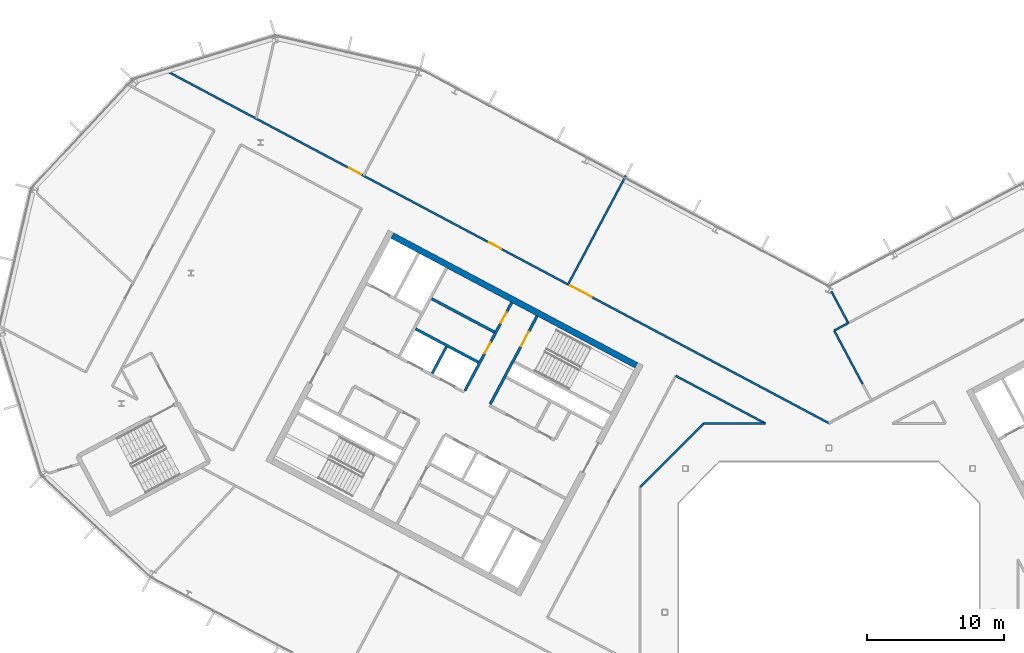
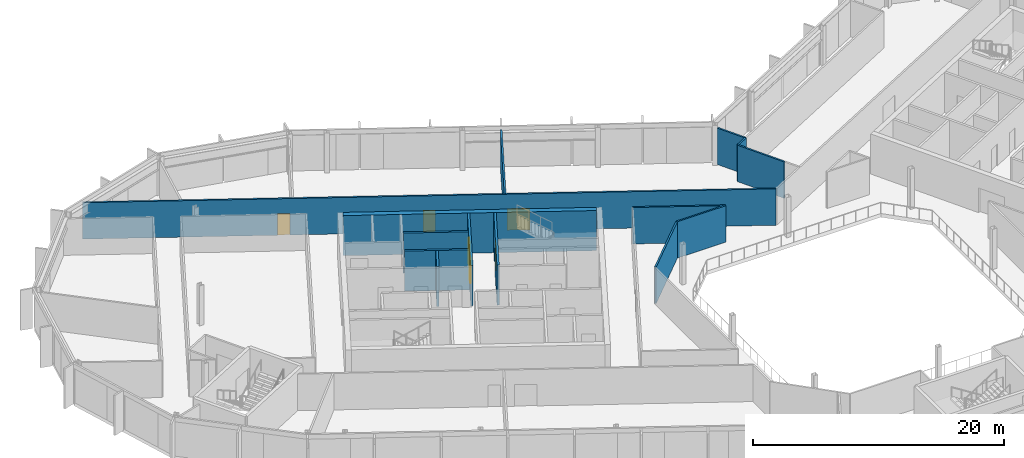
# One storey, part 14 of 25: 14 walls, 6 doors, 6 openings.
"""IFC4 building model written with IfcOpenShell, lengths in metres."""

from ifc_helpers import new_model, si_unit, direction, frame, frame_2d, origin, place, context, subcontext, project, spatial, rectangle, extrude, material, layer, layer_set, type_object, element, fill, save


model = new_model("IFC4")

# Units and contexts
model_context = context("Model", 3, precision=1e-05, world=origin(), true_north=direction((0.0, 1.0)))
body_context = subcontext(model_context, "Body", "Model", "MODEL_VIEW")
ifc_project = project(units=[si_unit("LENGTHUNIT", "METRE"), si_unit("AREAUNIT", "SQUARE_METRE"), si_unit("VOLUMEUNIT", "CUBIC_METRE"), si_unit("PLANEANGLEUNIT", "RADIAN"), si_unit("MASSUNIT", "GRAM", prefix="KILO")], contexts=[model_context])

# Site, building, storey
site_placement = place(None, origin())
site = spatial("IfcSite", under=ifc_project, at=site_placement, CompositionType="ELEMENT")
building_placement = place(site_placement, origin())
building = spatial("IfcBuilding", under=site, at=building_placement, Name="Cormorant Relay Tower", CompositionType="ELEMENT")
storey_placement = place(building_placement, frame((0.0, 0.0, 273.60009765625)))
storey = spatial("IfcBuildingStorey", under=building, at=storey_placement, Name="L61", CompositionType="ELEMENT", Elevation=273.60009765625)

# Walls
ifc_material_1 = material(Name="Concrete 40 MPa", Category="concrete")
ifc_layer_1 = layer(ifc_material_1, 0.199951171875)
ifc_layer_set_1 = layer_set([ifc_layer_1], Name="Core internal wall 200")
wall_type_1 = type_object("IfcWallType", Name="Core internal wall 200", PredefinedType="SOLIDWALL", material=ifc_layer_set_1)
wall_1_placement = place(storey_placement, frame((-27.9658203125, 19.39990234375, 0.0), z_axis=(0.0, 0.0, 1.0), x_axis=(-0.4694473164, -0.882960484464, 0.0)))
element("IfcWall", 1, at=wall_1_placement, inside=storey, type_object=wall_type_1, Name="L61 core A shaft and room wall", PredefinedType="SOLIDWALL", context=body_context, shape_type="SweptSolid", body=[
    extrude(rectangle(XDim=2.199951171875, YDim=0.199951171875, at=frame_2d((1.10009765625, 0.0))), origin(), (0.0, 0.0, 1.0), 3.89990234375),
])
wall_2_placement = place(storey_placement, frame((-24.449462890625, 20.474853515625, 0.0), z_axis=(0.0, 0.0, 1.0), x_axis=(-0.882934506056, 0.469496174655, 0.0)))
element("IfcWall", 2, at=wall_2_placement, inside=storey, type_object=wall_type_1, Name="L61 core A shaft and room wall", PredefinedType="SOLIDWALL", context=body_context, shape_type="SweptSolid", body=[
    extrude(rectangle(XDim=5.199951171875, YDim=0.199951171875, at=frame_2d((2.60009765625, 0.0))), origin(), (0.0, 0.0, 1.0), 3.89990234375),
])

# Wall, opening, door
ifc_material_2 = material(Name="Concrete 50 MPa", Category="concrete")
ifc_layer_2 = layer(ifc_material_2, 0.199951171875)
ifc_layer_set_2 = layer_set([ifc_layer_2], Name="Core shaft wall 200")
wall_type_2 = type_object("IfcWallType", Name="Core shaft wall 200", PredefinedType="SHEAR", material=ifc_layer_set_2)
wall_3_placement = place(storey_placement, frame((-21.333251953125, 21.6494140625, 0.0), z_axis=(0.0, 0.0, 1.0), x_axis=(-0.469494272526, -0.882935517501, 0.0)))
wall_3 = element("IfcWall", 3, at=wall_3_placement, inside=storey, type_object=wall_type_2, Name="L61 core A shaft wall", PredefinedType="SHEAR", context=body_context, shape_type="SweptSolid", body=[
    extrude(rectangle(XDim=7.2998046875, YDim=0.199951171875, at=frame_2d((3.64990234375, 0.0))), origin(), (0.0, 0.0, 1.0), 3.89990234375),
])
opening_1_placement = place(wall_3_placement, frame((1.300048828125, 0.0, 0.0)))
opening_1 = element("IfcOpeningElement", 4, at=opening_1_placement, cuts=wall_3, Name="Opening CDB-038", PredefinedType="OPENING", context=body_context, shape_type="SweptSolid", body=[
    extrude(rectangle(XDim=1.199951171875, YDim=2.10009765625, at=frame_2d((0.60009765625, 1.050048828125))), frame((0.0, 0.10986328125, 0.0), z_axis=(0.0, -1.0, 0.0), x_axis=(1.0, 0.0, 0.0)), (0.0, 0.0, 1.0), 0.219970703125),
])
ifc_material_3 = material(Name="Steel fire door", Category="steel")
door_type_1 = type_object("IfcDoorType", Name="Core stair door 1200x2100", OperationType="SINGLE_SWING_LEFT", PredefinedType="DOOR", material=ifc_material_3)
door_1_placement = place(opening_1_placement, origin())
door_1 = element("IfcDoor", 5, at=door_1_placement, inside=storey, type_object=door_type_1, Name="Core stair door 1200x2100", OperationType="SINGLE_SWING_RIGHT", OverallHeight=2.10009765625, OverallWidth=1.199951171875, PredefinedType="DOOR", context=body_context, shape_type="SweptSolid", body=[
    extrude(rectangle(XDim=1.199951171875, YDim=2.10009765625, at=frame_2d((0.60009765625, 1.050048828125))), frame((0.0, 0.02490234375, 0.0), z_axis=(0.0, -1.0, 0.0), x_axis=(1.0, 0.0, 0.0)), (0.0, 0.0, 1.0), 0.050048828125),
])
fill(opening_1, door_1)

# Wall, openings, doors
wall_4_placement = place(storey_placement, frame((-23.1875, 22.635498046875, 0.0), z_axis=(0.0, 0.0, 1.0), x_axis=(-0.469454336211, -0.882956752176, 0.0)))
wall_4 = element("IfcWall", 6, at=wall_4_placement, inside=storey, type_object=wall_type_2, Name="L61 core A shaft wall", PredefinedType="SHEAR", context=body_context, shape_type="SweptSolid", body=[
    extrude(rectangle(XDim=7.300048828125, YDim=0.199951171875, at=frame_2d((3.64990234375, 0.0))), origin(), (0.0, 0.0, 1.0), 3.89990234375),
])
opening_2_placement = place(wall_4_placement, frame((0.800048828125, 0.0, 0.0)))
opening_2 = element("IfcOpeningElement", 7, at=opening_2_placement, cuts=wall_4, Name="Opening CDD-281", PredefinedType="OPENING", context=body_context, shape_type="SweptSolid", body=[
    extrude(rectangle(XDim=0.89990234375, YDim=2.10009765625, at=frame_2d((0.449951171875, 1.050048828125))), frame((0.0, 0.10986328125, 0.0), z_axis=(0.0, -1.0, 0.0), x_axis=(1.0, 0.0, 0.0)), (0.0, 0.0, 1.0), 0.219970703125),
])
opening_3_placement = place(wall_4_placement, frame((3.300048828125, 0.0, 0.0)))
opening_3 = element("IfcOpeningElement", 8, at=opening_3_placement, cuts=wall_4, Name="Opening CDD-282", PredefinedType="OPENING", context=body_context, shape_type="SweptSolid", body=[
    extrude(rectangle(XDim=0.89990234375, YDim=2.10009765625, at=frame_2d((0.449951171875, 1.050048828125))), frame((0.0, 0.10986328125, 0.0), z_axis=(0.0, -1.0, 0.0), x_axis=(1.0, 0.0, 0.0)), (0.0, 0.0, 1.0), 0.219970703125),
])
ifc_material_4 = material(Name="Steel fire door", Category="steel")
door_type_2 = type_object("IfcDoorType", Name="Core room door 900x2100", OperationType="SINGLE_SWING_LEFT", PredefinedType="DOOR", material=ifc_material_4)
door_2_placement = place(opening_2_placement, origin())
door_2 = element("IfcDoor", 9, at=door_2_placement, inside=storey, type_object=door_type_2, Name="Core room door 900x2100", OperationType="SINGLE_SWING_LEFT", OverallHeight=2.10009765625, OverallWidth=0.89990234375, PredefinedType="DOOR", context=body_context, shape_type="SweptSolid", body=[
    extrude(rectangle(XDim=0.89990234375, YDim=2.10009765625, at=frame_2d((0.449951171875, 1.050048828125))), frame((0.0, 0.02490234375, 0.0), z_axis=(0.0, -1.0, 0.0), x_axis=(1.0, 0.0, 0.0)), (0.0, 0.0, 1.0), 0.050048828125),
])
fill(opening_2, door_2)
door_3_placement = place(opening_3_placement, origin())
door_3 = element("IfcDoor", 10, at=door_3_placement, inside=storey, type_object=door_type_2, Name="Core room door 900x2100", OperationType="SINGLE_SWING_LEFT", OverallHeight=2.10009765625, OverallWidth=0.89990234375, PredefinedType="DOOR", context=body_context, shape_type="SweptSolid", body=[
    extrude(rectangle(XDim=0.89990234375, YDim=2.10009765625, at=frame_2d((0.449951171875, 1.050048828125))), frame((0.0, 0.02490234375, 0.0), z_axis=(0.0, -1.0, 0.0), x_axis=(1.0, 0.0, 0.0)), (0.0, 0.0, 1.0), 0.050048828125),
])
fill(opening_3, door_3)

# Walls
wall_5_placement = place(storey_placement, frame((-25.623046875, 18.267578125, 0.0), z_axis=(0.0, 0.0, 1.0), x_axis=(-0.882953967957, 0.469459572775, 0.0)))
element("IfcWall", 11, at=wall_5_placement, inside=storey, type_object=wall_type_2, Name="L61 core A shaft wall", PredefinedType="SHEAR", context=body_context, shape_type="SweptSolid", body=[
    extrude(rectangle(XDim=5.199951171875, YDim=0.199951171875, at=frame_2d((2.60009765625, 0.0))), origin(), (0.0, 0.0, 1.0), 3.89990234375),
])
ifc_material_5 = material(Name="Concrete 50 MPa", Category="concrete")
ifc_layer_3 = layer(ifc_material_5, 0.449951171875)
ifc_layer_set_3 = layer_set([ifc_layer_3], Name="Core wall 450")
wall_type_3 = type_object("IfcWallType", Name="Core wall 450", PredefinedType="SHEAR", material=ifc_layer_set_3)
wall_6_placement = place(storey_placement, frame((-14.07568359375, 18.04541015625, 0.0), z_axis=(0.0, 0.0, 1.0), x_axis=(-0.882947755831, 0.46947125628, 0.0)))
element("IfcWall", 12, at=wall_6_placement, inside=storey, type_object=wall_type_3, Name="L61 core A wall", PredefinedType="SHEAR", context=body_context, shape_type="SweptSolid", body=[
    extrude(rectangle(XDim=20.2001953125, YDim=0.449951171875, at=frame_2d((10.10009765625, 0.0))), origin(), (0.0, 0.0, 1.0), 3.89990234375),
])

# Wall, openings, doors
ifc_material_6 = material(Name="Gypsum board fire partition")
ifc_layer_4 = layer(ifc_material_6, 0.14990234375)
ifc_layer_set_4 = layer_set([ifc_layer_4], Name="Corridor partition 150 EI 60")
wall_type_4 = type_object("IfcWallType", Name="Corridor partition 150 EI 60", PredefinedType="PARTITIONING", material=ifc_layer_set_4)
wall_7_placement = place(storey_placement, frame((-48.81201171875, 39.77099609375, 0.0), z_axis=(0.0, 0.0, 1.0), x_axis=(0.882945384259, -0.469475716535, 0.0)))
wall_7 = element("IfcWall", 13, at=wall_7_placement, inside=storey, type_object=wall_type_4, Name="wall/L61/part/008", PredefinedType="PARTITIONING", context=body_context, shape_type="SweptSolid", body=[
    extrude(rectangle(XDim=55.283203125, YDim=0.14990234375, at=frame_2d((27.6416015625, 0.0))), origin(), (0.0, 0.0, 1.0), 3.539794921875),
])
opening_4_placement = place(wall_7_placement, frame((33.85009765625, 0.0, 0.0)))
opening_4 = element("IfcOpeningElement", 14, at=opening_4_placement, cuts=wall_7, Name="Opening DD-039", PredefinedType="OPENING", context=body_context, shape_type="SweptSolid", body=[
    extrude(rectangle(XDim=1.800048828125, YDim=2.10009765625, at=frame_2d((0.89990234375, 1.050048828125))), frame((0.0, 0.0849609375, 0.0), z_axis=(0.0, -1.0, 0.0), x_axis=(1.0, 0.0, 0.0)), (0.0, 0.0, 1.0), 0.169921875),
])
opening_5_placement = place(wall_7_placement, frame((27.14990234375, 0.0, 0.0)))
opening_5 = element("IfcOpeningElement", 15, at=opening_5_placement, cuts=wall_7, Name="Opening DS-162", PredefinedType="OPENING", context=body_context, shape_type="SweptSolid", body=[
    extrude(rectangle(XDim=1.0, YDim=2.10009765625, at=frame_2d((0.5, 1.050048828125))), frame((0.0, 0.0849609375, 0.0), z_axis=(0.0, -1.0, 0.0), x_axis=(1.0, 0.0, 0.0)), (0.0, 0.0, 1.0), 0.169921875),
])
opening_6_placement = place(wall_7_placement, frame((15.550048828125, 0.0, 0.0)))
opening_6 = element("IfcOpeningElement", 16, at=opening_6_placement, cuts=wall_7, Name="Opening DS-164", PredefinedType="OPENING", context=body_context, shape_type="SweptSolid", body=[
    extrude(rectangle(XDim=1.0, YDim=2.10009765625, at=frame_2d((0.5, 1.050048828125))), frame((0.0, 0.0849609375, 0.0), z_axis=(0.0, -1.0, 0.0), x_axis=(1.0, 0.0, 0.0)), (0.0, 0.0, 1.0), 0.169921875),
])
ifc_material_7 = material(Name="Timber door leaf", Category="wood")
door_type_3 = type_object("IfcDoorType", Name="Suite door 1000x2100", OperationType="SINGLE_SWING_LEFT", PredefinedType="DOOR", material=ifc_material_7)
door_4_placement = place(opening_5_placement, origin())
door_4 = element("IfcDoor", 17, at=door_4_placement, inside=storey, type_object=door_type_3, Name="door/L61/014", OperationType="SINGLE_SWING_RIGHT", OverallHeight=2.10009765625, OverallWidth=1.0, PredefinedType="DOOR", context=body_context, shape_type="SweptSolid", body=[
    extrude(rectangle(XDim=1.0, YDim=2.10009765625, at=frame_2d((0.5, 1.050048828125))), frame((0.0, 0.02490234375, 0.0), z_axis=(0.0, -1.0, 0.0), x_axis=(1.0, 0.0, 0.0)), (0.0, 0.0, 1.0), 0.050048828125),
])
fill(opening_5, door_4)
door_5_placement = place(opening_6_placement, origin())
door_5 = element("IfcDoor", 18, at=door_5_placement, inside=storey, type_object=door_type_3, Name="door/L61/015", OperationType="SINGLE_SWING_RIGHT", OverallHeight=2.10009765625, OverallWidth=1.0, PredefinedType="DOOR", context=body_context, shape_type="SweptSolid", body=[
    extrude(rectangle(XDim=1.0, YDim=2.10009765625, at=frame_2d((0.5, 1.050048828125))), frame((0.0, 0.02490234375, 0.0), z_axis=(0.0, -1.0, 0.0), x_axis=(1.0, 0.0, 0.0)), (0.0, 0.0, 1.0), 0.050048828125),
])
fill(opening_6, door_5)
ifc_material_8 = material(Name="Timber door leaf", Category="wood")
door_type_4 = type_object("IfcDoorType", Name="Suite double door 1800x2100", OperationType="DOUBLE_DOOR_SINGLE_SWING", PredefinedType="DOOR", material=ifc_material_8)
door_6_placement = place(opening_4_placement, origin())
door_6 = element("IfcDoor", 19, at=door_6_placement, inside=storey, type_object=door_type_4, Name="door/L61/013", OperationType="DOUBLE_DOOR_SINGLE_SWING", OverallHeight=2.10009765625, OverallWidth=1.800048828125, PredefinedType="DOOR", context=body_context, shape_type="SweptSolid", body=[
    extrude(rectangle(XDim=1.800048828125, YDim=2.10009765625, at=frame_2d((0.89990234375, 1.050048828125))), frame((0.0, 0.02490234375, 0.0), z_axis=(0.0, -1.0, 0.0), x_axis=(1.0, 0.0, 0.0)), (0.0, 0.0, 1.0), 0.050048828125),
])
fill(opening_4, door_6)

# Walls
wall_8_placement = place(storey_placement, frame((-11.197998046875, 17.280029296875, 0.0), z_axis=(0.0, 0.0, 1.0), x_axis=(0.88294849999, -0.469469856717, 0.0)))
element("IfcWall", 20, at=wall_8_placement, inside=storey, type_object=wall_type_4, Name="wall/L61/part/047", PredefinedType="PARTITIONING", context=body_context, shape_type="SweptSolid", body=[
    extrude(rectangle(XDim=7.41259765625, YDim=0.14990234375, at=frame_2d((3.706298828125, 0.0))), origin(), (0.0, 0.0, 1.0), 3.539794921875),
])
wall_9_placement = place(storey_placement, frame((-4.653076171875, 13.800048828125, 0.0), z_axis=(0.0, 0.0, 1.0), x_axis=(-1.0, 0.0, 0.0)))
element("IfcWall", 21, at=wall_9_placement, inside=storey, type_object=wall_type_4, Name="wall/L61/part/048", PredefinedType="PARTITIONING", context=body_context, shape_type="SweptSolid", body=[
    extrude(rectangle(XDim=4.5068359375, YDim=0.14990234375, at=frame_2d((2.25341796875, 0.0))), origin(), (0.0, 0.0, 1.0), 3.539794921875),
])
wall_10_placement = place(storey_placement, frame((-9.159912109375, 13.800048828125, 0.0), z_axis=(0.0, 0.0, 1.0), x_axis=(-0.707106781187, -0.707106781187, 0.0)))
element("IfcWall", 22, at=wall_10_placement, inside=storey, type_object=wall_type_4, Name="wall/L61/part/049", PredefinedType="PARTITIONING", context=body_context, shape_type="SweptSolid", body=[
    extrude(rectangle(XDim=6.562255859375, YDim=0.14990234375, at=frame_2d((3.28125, 0.0))), origin(), (0.0, 0.0, 1.0), 3.539794921875),
])
ifc_material_9 = material(Name="Gypsum board partition")
ifc_layer_5 = layer(ifc_material_9, 0.14990234375)
ifc_layer_set_5 = layer_set([ifc_layer_5], Name="Tenant partition 150")
wall_type_5 = type_object("IfcWallType", Name="Tenant partition 150", PredefinedType="PARTITIONING", material=ifc_layer_set_5)
wall_11_placement = place(storey_placement, frame((-14.843994140625, 31.903076171875, 0.0), z_axis=(0.0, 0.0, 1.0), x_axis=(-0.469351570135, -0.883011383625, 0.0)))
element("IfcWall", 23, at=wall_11_placement, inside=storey, type_object=wall_type_5, Name="wall/L61/part/019", PredefinedType="PARTITIONING", context=body_context, shape_type="SweptSolid", body=[
    extrude(rectangle(XDim=9.0, YDim=0.14990234375, at=frame_2d((4.5, 0.0))), origin(), (0.0, 0.0, 1.0), 3.539794921875),
])
wall_12_placement = place(storey_placement, frame((0.178955078125, 23.449951171875, 0.0), z_axis=(0.0, 0.0, 1.0), x_axis=(0.469205161074, -0.883089189619, 0.0)))
element("IfcWall", 24, at=wall_12_placement, inside=storey, type_object=wall_type_5, Name="wall/L61/part/027", PredefinedType="PARTITIONING", context=body_context, shape_type="SweptSolid", body=[
    extrude(rectangle(XDim=2.621337890625, YDim=0.14990234375, at=frame_2d((1.310546875, 0.0))), origin(), (0.0, 0.0, 1.0), 3.539794921875),
])
wall_13_placement = place(storey_placement, frame((2.450927734375, 16.69091796875, 0.0), z_axis=(0.0, 0.0, 1.0), x_axis=(-0.469465268903, 0.882950939347, 0.0)))
element("IfcWall", 25, at=wall_13_placement, inside=storey, type_object=wall_type_5, Name="wall/L61/part/030", PredefinedType="PARTITIONING", context=body_context, shape_type="SweptSolid", body=[
    extrude(rectangle(XDim=4.41357421875, YDim=0.14990234375, at=frame_2d((2.206787109375, 0.0))), origin(), (0.0, 0.0, 1.0), 3.539794921875),
])
wall_14_placement = place(storey_placement, frame((1.405029296875, 21.133056640625, 0.0), z_axis=(0.0, 0.0, 1.0), x_axis=(-0.882753784089, -0.469835882704, 0.0)))
element("IfcWall", 26, at=wall_14_placement, inside=storey, type_object=wall_type_5, Name="wall/L61/part/031", PredefinedType="PARTITIONING", context=body_context, shape_type="SweptSolid", body=[
    extrude(rectangle(XDim=1.162353515625, YDim=0.14990234375, at=frame_2d((0.5810546875, 0.0))), origin(), (0.0, 0.0, 1.0), 3.539794921875),
])

save(model, "model.ifc")
